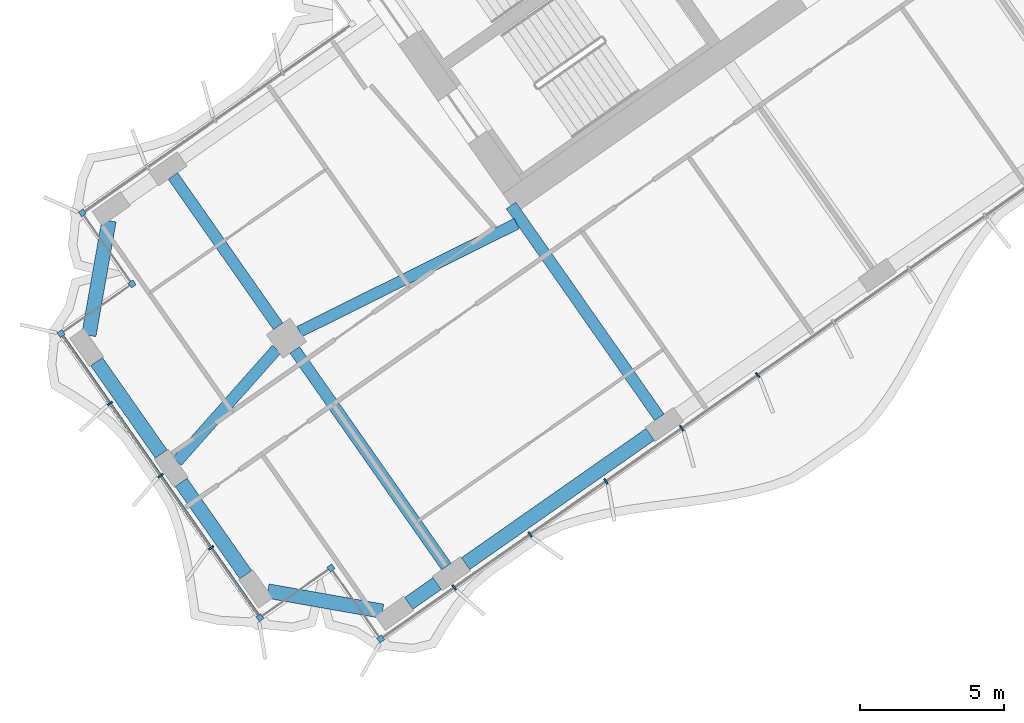
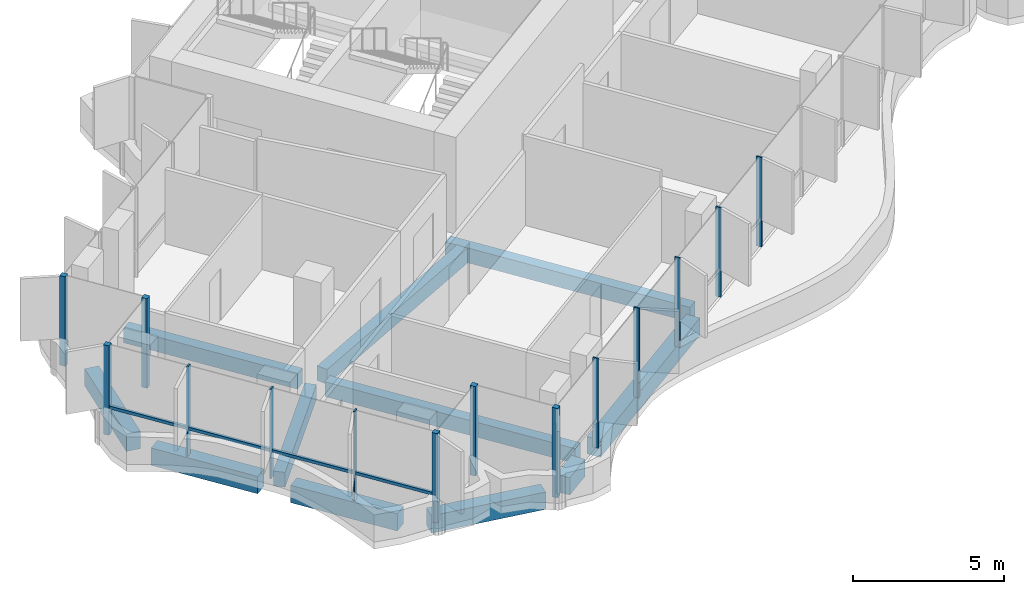
# One storey, part 2 of 23: 15 members, 11 beams, 1 element without a shape of its own.
"""IFC4 building model written with IfcOpenShell, lengths in metres."""

from ifc_helpers import new_model, si_unit, direction, frame, origin, origin_2d, place, context, subcontext, project, spatial, rectangle, extrude, material, material_profile, profile_set, type_object, element, aggregate, save


model = new_model("IFC4")

# Units and contexts
model_context = context("Model", 3, precision=1e-05, world=origin(), true_north=direction((0.0, 1.0)))
body_context = subcontext(model_context, "Body", "Model", "MODEL_VIEW")
ifc_project = project(units=[si_unit("LENGTHUNIT", "METRE"), si_unit("AREAUNIT", "SQUARE_METRE"), si_unit("VOLUMEUNIT", "CUBIC_METRE"), si_unit("PLANEANGLEUNIT", "RADIAN"), si_unit("MASSUNIT", "GRAM", prefix="KILO")], contexts=[model_context])

# Site, building, storey
site_placement = place(None, origin())
site = spatial("IfcSite", under=ifc_project, at=site_placement, CompositionType="ELEMENT")
building_placement = place(site_placement, origin())
building = spatial("IfcBuilding", under=site, at=building_placement, Name="Tel Ilan Convention Tower", CompositionType="ELEMENT")
storey_placement = place(building_placement, frame((0.0, 0.0, 182.699951171875)))
storey = spatial("IfcBuildingStorey", under=building, at=storey_placement, Name="L42", CompositionType="ELEMENT", Elevation=182.699951171875)

# Beams
ifc_material_1 = material(Name="Concrete C40/50", Category="concrete")
ifc_material_profile_1 = material_profile(ifc_material_1, rectangle(XDim=0.39990234375, YDim=0.60009765625, at=origin_2d()), Name="RC 400x600")
ifc_profile_set_1 = profile_set([ifc_material_profile_1], Name="Concrete C40/50")
beam_type_1 = type_object("IfcBeamType", Name="Beam RC 400x600 Concrete C40/50", PredefinedType="BEAM", material=ifc_profile_set_1)
beam_1_placement = place(storey_placement, frame((-16.58203125, -23.391357421875, -0.579833984375), z_axis=(-0.573584999642, 0.819146048141, 0.0), x_axis=(-0.819146048141, -0.573584999642, 0.0)))
element("IfcBeam", 1, at=beam_1_placement, inside=storey, type_object=beam_type_1, Name="L42 beam W-W-F3-core", PredefinedType="BEAM", context=body_context, shape_type="SweptSolid", body=[
    extrude(rectangle(XDim=0.39990234375, YDim=0.60009765625, at=origin_2d()), origin(), (0.0, 0.0, 1.0), 8.949951171875),
])
beam_2_placement = place(storey_placement, frame((-21.52099609375, -16.686279296875, -0.579833984375), z_axis=(-0.895402365524, -0.445257907076, 0.0), x_axis=(0.445257907076, -0.895402365524, 0.0)))
element("IfcBeam", 2, at=beam_2_placement, inside=storey, type_object=beam_type_1, Name="L42 beam W-core-W-M4", PredefinedType="BEAM", context=body_context, shape_type="SweptSolid", body=[
    extrude(rectangle(XDim=0.39990234375, YDim=0.60009765625, at=origin_2d()), origin(), (0.0, 0.0, 1.0), 8.3935546875),
])
beam_3_placement = place(storey_placement, frame((-29.830322265625, -21.03369140625, -0.579833984375), z_axis=(-0.663175252401, -0.748464150512, 0.0), x_axis=(0.748464150512, -0.663175252401, 0.0)))
element("IfcBeam", 3, at=beam_3_placement, inside=storey, type_object=beam_type_1, Name="L42 beam W-W-M4-end", PredefinedType="BEAM", context=body_context, shape_type="SweptSolid", body=[
    extrude(rectangle(XDim=0.39990234375, YDim=0.60009765625, at=origin_2d()), origin(), (0.0, 0.0, 1.0), 5.192626953125),
])
beam_4_placement = place(storey_placement, frame((-29.20263671875, -21.058349609375, -0.579833984375), z_axis=(0.573557249804, -0.819165478519, 0.0), x_axis=(0.819165478519, 0.573557249804, 0.0)))
element("IfcBeam", 4, at=beam_4_placement, inside=storey, type_object=beam_type_1, Name="L42 beam W-W-M4-W-F4", PredefinedType="BEAM", context=body_context, shape_type="SweptSolid", body=[
    extrude(rectangle(XDim=0.39990234375, YDim=0.60009765625, at=origin_2d()), origin(), (0.0, 0.0, 1.0), 9.14990234375),
])
beam_5_placement = place(storey_placement, frame((-29.7763671875, -20.2392578125, -0.579833984375), z_axis=(-0.573560394383, 0.819163276762, 0.0), x_axis=(-0.819163276762, -0.573560394383, 0.0)))
element("IfcBeam", 5, at=beam_5_placement, inside=storey, type_object=beam_type_1, Name="L42 beam W-W-M4-W-B4", PredefinedType="BEAM", context=body_context, shape_type="SweptSolid", body=[
    extrude(rectangle(XDim=0.39990234375, YDim=0.60009765625, at=origin_2d()), origin(), (0.0, 0.0, 1.0), 6.349853515625),
])
ifc_material_2 = material(Name="Concrete C40/50", Category="concrete")
ifc_material_profile_2 = material_profile(ifc_material_2, rectangle(XDim=0.5, YDim=0.699951171875, at=origin_2d()), Name="RC 500x700")
ifc_profile_set_2 = profile_set([ifc_material_profile_2], Name="Concrete C40/50")
beam_type_2 = type_object("IfcBeamType", Name="Beam RC 500x700 Concrete C40/50", PredefinedType="BEAM", material=ifc_profile_set_2)
beam_6_placement = place(storey_placement, frame((-16.901611328125, -23.981201171875, -0.6298828125), z_axis=(-0.819153977895, -0.573573674866, 0.0), x_axis=(0.573573674866, -0.819153977895, 0.0)))
element("IfcBeam", 6, at=beam_6_placement, inside=storey, type_object=beam_type_2, Name="L42 beam W-W-F3-W-F4", PredefinedType="BEAM", context=body_context, shape_type="SweptSolid", body=[
    extrude(rectangle(XDim=0.5, YDim=0.699951171875, at=origin_2d()), origin(), (0.0, 0.0, 1.0), 7.800048828125),
])
beam_7_placement = place(storey_placement, frame((-24.27392578125, -29.1435546875, -0.6298828125), z_axis=(-0.819155442668, -0.573571582932, 0.0), x_axis=(0.573571582932, -0.819155442668, 0.0)))
element("IfcBeam", 7, at=beam_7_placement, inside=storey, type_object=beam_type_2, Name="L42 beam W-W-F4-W-FC", PredefinedType="BEAM", context=body_context, shape_type="SweptSolid", body=[
    extrude(rectangle(XDim=0.5, YDim=0.699951171875, at=origin_2d()), origin(), (0.0, 0.0, 1.0), 1.199951171875),
])
beam_8_placement = place(storey_placement, frame((-26.166259765625, -30.102294921875, -0.6298828125), z_axis=(-0.984804894423, 0.173664388751, 0.0), x_axis=(-0.173664388751, -0.984804894423, 0.0)))
element("IfcBeam", 8, at=beam_8_placement, inside=storey, type_object=beam_type_2, Name="L42 beam W-W-FC-W-E1", PredefinedType="BEAM", context=body_context, shape_type="SweptSolid", body=[
    extrude(rectangle(XDim=0.5, YDim=0.699951171875, at=origin_2d()), origin(), (0.0, 0.0, 1.0), 4.030517578125),
])
for number, where, z_axis, x_axis, name in (
    (9, (-30.8974609375, -28.837158203125, -0.6298828125), (-0.573609383536, 0.819128973434, 0.0), (-0.819128973434, -0.573609383536, 0.0), "L42 beam W-W-E1-W-E2"),
    (10, (-33.82275390625, -24.659423828125, -0.6298828125), (-0.573567378001, 0.81915838694, 0.0), (-0.81915838694, -0.573567378001, 0.0), "L42 beam W-W-E2-W-E3"),
):
    element("IfcBeam", number, at=place(storey_placement, frame(where, z_axis=z_axis, x_axis=x_axis)), inside=storey, type_object=beam_type_2, Name=name, PredefinedType="BEAM", context=body_context, shape_type="SweptSolid", body=[
        extrude(rectangle(XDim=0.5, YDim=0.699951171875, at=origin_2d()), origin(), (0.0, 0.0, 1.0), 3.89990234375),
    ])
beam_9_placement = place(storey_placement, frame((-36.330078125, -20.555419921875, -0.6298828125), z_axis=(0.173664388751, 0.984804894423, 0.0), x_axis=(-0.984804894423, 0.173664388751, 0.0)))
element("IfcBeam", 11, at=beam_9_placement, inside=storey, type_object=beam_type_2, Name="L42 beam W-W-E3-W-BC", PredefinedType="BEAM", context=body_context, shape_type="SweptSolid", body=[
    extrude(rectangle(XDim=0.5, YDim=0.699951171875, at=origin_2d()), origin(), (0.0, 0.0, 1.0), 4.030517578125),
])

# Curtain wall, members
ifc_material_3 = material(Name="Aluminium, bronze anodised", Category="aluminium")
curtain_wall_type = type_object("IfcCurtainWallType", Name="CW4 STICK CURTAIN WALL, OFFICE TINTED GLASS", PredefinedType="NOTDEFINED", material=ifc_material_3)
curtain_wall_placement = place(storey_placement, origin())
curtain_wall = element("IfcCurtainWall", 12, at=curtain_wall_placement, inside=storey, type_object=curtain_wall_type, Name="Curtain wall CW4-32.02", PredefinedType="NOTDEFINED")
ifc_material_4 = material(Name="Aluminium, bronze anodised", Category="aluminium")
ifc_material_profile_3 = material_profile(ifc_material_4, rectangle(XDim=0.199951171875, YDim=0.199951171875, at=origin_2d()), Name="CW CORNER MULLION 200x200")
ifc_profile_set_3 = profile_set([ifc_material_profile_3], Name="Aluminium, bronze anodised")
member_type_1 = type_object("IfcMemberType", Name="CW CORNER MULLION 200x200", PredefinedType="MULLION", material=ifc_profile_set_3)
member_1_placement = place(storey_placement, frame((-36.5517578125, -16.31591796875, 0.0), z_axis=(0.0, 0.0, 1.0), x_axis=(-0.819152044289, -0.573576436351, 0.0)))
member_1 = element("IfcMember", 13, at=member_1_placement, type_object=member_type_1, Name="Corner mullion", PredefinedType="MULLION", context=body_context, shape_type="SweptSolid", body=[
    extrude(rectangle(XDim=0.199951171875, YDim=0.199951171875, at=origin_2d()), origin(), (0.0, 0.0, 1.0), 3.6201171875),
])
member_2_placement = place(storey_placement, frame((-34.8310546875, -18.7734375, 0.0), z_axis=(0.0, 0.0, 1.0), x_axis=(0.573576436351, -0.819152044289, 0.0)))
member_2 = element("IfcMember", 14, at=member_2_placement, type_object=member_type_1, Name="Corner mullion", PredefinedType="MULLION", context=body_context, shape_type="SweptSolid", body=[
    extrude(rectangle(XDim=0.199951171875, YDim=0.199951171875, at=origin_2d()), origin(), (0.0, 0.0, 1.0), 3.6201171875),
])
member_3_placement = place(storey_placement, frame((-37.28857421875, -20.494140625, 0.0), z_axis=(0.0, 0.0, 1.0), x_axis=(-0.819152044289, -0.573576436351, 0.0)))
member_3 = element("IfcMember", 15, at=member_3_placement, type_object=member_type_1, Name="Corner mullion", PredefinedType="MULLION", context=body_context, shape_type="SweptSolid", body=[
    extrude(rectangle(XDim=0.199951171875, YDim=0.199951171875, at=origin_2d()), origin(), (0.0, 0.0, 1.0), 3.6201171875),
])
member_4_placement = place(storey_placement, frame((-30.40576171875, -30.323974609375, 0.0), z_axis=(0.0, 0.0, 1.0), x_axis=(0.573576436351, -0.819152044289, 0.0)))
member_4 = element("IfcMember", 16, at=member_4_placement, type_object=member_type_1, Name="Corner mullion", PredefinedType="MULLION", context=body_context, shape_type="SweptSolid", body=[
    extrude(rectangle(XDim=0.199951171875, YDim=0.199951171875, at=origin_2d()), origin(), (0.0, 0.0, 1.0), 3.6201171875),
])
member_5_placement = place(storey_placement, frame((-27.9482421875, -28.603271484375, 0.0), z_axis=(0.0, 0.0, 1.0), x_axis=(0.819152044289, 0.573576436351, 0.0)))
member_5 = element("IfcMember", 17, at=member_5_placement, type_object=member_type_1, Name="Corner mullion", PredefinedType="MULLION", context=body_context, shape_type="SweptSolid", body=[
    extrude(rectangle(XDim=0.199951171875, YDim=0.199951171875, at=origin_2d()), origin(), (0.0, 0.0, 1.0), 3.6201171875),
])
member_6_placement = place(storey_placement, frame((-26.2275390625, -31.060791015625, 0.0), z_axis=(0.0, 0.0, 1.0), x_axis=(0.573576436351, -0.819152044289, 0.0)))
member_6 = element("IfcMember", 18, at=member_6_placement, type_object=member_type_1, Name="Corner mullion", PredefinedType="MULLION", context=body_context, shape_type="SweptSolid", body=[
    extrude(rectangle(XDim=0.199951171875, YDim=0.199951171875, at=origin_2d()), origin(), (0.0, 0.0, 1.0), 3.6201171875),
])
ifc_material_5 = material(Name="Aluminium, bronze anodised", Category="aluminium")
ifc_material_profile_4 = material_profile(ifc_material_5, rectangle(XDim=0.06005859375, YDim=0.199951171875, at=origin_2d()), Name="CW MULLION 60x200")
ifc_profile_set_4 = profile_set([ifc_material_profile_4], Name="Aluminium, bronze anodised")
member_type_2 = type_object("IfcMemberType", Name="CW MULLION 60x200", PredefinedType="MULLION", material=ifc_profile_set_4)
member_7_placement = place(storey_placement, frame((-35.596435546875, -22.91064453125, 0.0), z_axis=(0.0, 0.0, 1.0), x_axis=(0.573576436351, -0.819152044289, 0.0)))
member_7 = element("IfcMember", 19, at=member_7_placement, type_object=member_type_2, Name="Mullion", PredefinedType="MULLION", context=body_context, shape_type="SweptSolid", body=[
    extrude(rectangle(XDim=0.06005859375, YDim=0.199951171875, at=origin_2d()), origin(), (0.0, 0.0, 1.0), 3.6201171875),
])
member_8_placement = place(storey_placement, frame((-33.84716796875, -25.4091796875, 0.0), z_axis=(0.0, 0.0, 1.0), x_axis=(0.573576436351, -0.819152044289, 0.0)))
member_8 = element("IfcMember", 20, at=member_8_placement, type_object=member_type_2, Name="Mullion", PredefinedType="MULLION", context=body_context, shape_type="SweptSolid", body=[
    extrude(rectangle(XDim=0.06005859375, YDim=0.199951171875, at=origin_2d()), origin(), (0.0, 0.0, 1.0), 3.6201171875),
])
member_9_placement = place(storey_placement, frame((-32.09765625, -27.907470703125, 0.0), z_axis=(0.0, 0.0, 1.0), x_axis=(0.573576436351, -0.819152044289, 0.0)))
member_9 = element("IfcMember", 21, at=member_9_placement, type_object=member_type_2, Name="Mullion", PredefinedType="MULLION", context=body_context, shape_type="SweptSolid", body=[
    extrude(rectangle(XDim=0.06005859375, YDim=0.199951171875, at=origin_2d()), origin(), (0.0, 0.0, 1.0), 3.6201171875),
])
member_10_placement = place(storey_placement, frame((-23.68408203125, -29.27978515625, 0.0), z_axis=(0.0, 0.0, 1.0), x_axis=(0.819152044289, 0.573576436351, 0.0)))
member_10 = element("IfcMember", 22, at=member_10_placement, type_object=member_type_2, Name="Mullion", PredefinedType="MULLION", context=body_context, shape_type="SweptSolid", body=[
    extrude(rectangle(XDim=0.06005859375, YDim=0.199951171875, at=origin_2d()), origin(), (0.0, 0.0, 1.0), 3.6201171875),
])
member_11_placement = place(storey_placement, frame((-21.05908203125, -27.441650390625, 0.0), z_axis=(0.0, 0.0, 1.0), x_axis=(0.819152044289, 0.573576436351, 0.0)))
member_11 = element("IfcMember", 23, at=member_11_placement, type_object=member_type_2, Name="Mullion", PredefinedType="MULLION", context=body_context, shape_type="SweptSolid", body=[
    extrude(rectangle(XDim=0.06005859375, YDim=0.199951171875, at=origin_2d()), origin(), (0.0, 0.0, 1.0), 3.6201171875),
])
member_12_placement = place(storey_placement, frame((-18.433837890625, -25.603515625, 0.0), z_axis=(0.0, 0.0, 1.0), x_axis=(0.819152044289, 0.573576436351, 0.0)))
member_12 = element("IfcMember", 24, at=member_12_placement, type_object=member_type_2, Name="Mullion", PredefinedType="MULLION", context=body_context, shape_type="SweptSolid", body=[
    extrude(rectangle(XDim=0.06005859375, YDim=0.199951171875, at=origin_2d()), origin(), (0.0, 0.0, 1.0), 3.6201171875),
])
member_13_placement = place(storey_placement, frame((-15.80859375, -23.765380859375, 0.0), z_axis=(0.0, 0.0, 1.0), x_axis=(0.819152044289, 0.573576436351, 0.0)))
member_13 = element("IfcMember", 25, at=member_13_placement, type_object=member_type_2, Name="Mullion", PredefinedType="MULLION", context=body_context, shape_type="SweptSolid", body=[
    extrude(rectangle(XDim=0.06005859375, YDim=0.199951171875, at=origin_2d()), origin(), (0.0, 0.0, 1.0), 3.6201171875),
])
member_14_placement = place(storey_placement, frame((-13.183349609375, -21.92724609375, 0.0), z_axis=(0.0, 0.0, 1.0), x_axis=(0.819152044289, 0.573576436351, 0.0)))
member_14 = element("IfcMember", 26, at=member_14_placement, type_object=member_type_2, Name="Mullion", PredefinedType="MULLION", context=body_context, shape_type="SweptSolid", body=[
    extrude(rectangle(XDim=0.06005859375, YDim=0.199951171875, at=origin_2d()), origin(), (0.0, 0.0, 1.0), 3.6201171875),
])
ifc_material_6 = material(Name="Aluminium, bronze anodised", Category="aluminium")
ifc_material_profile_5 = material_profile(ifc_material_6, rectangle(XDim=0.10009765625, YDim=0.1201171875, at=origin_2d()), Name="CW TRANSOM 100x120")
ifc_profile_set_5 = profile_set([ifc_material_profile_5], Name="Aluminium, bronze anodised")
member_type_3 = type_object("IfcMemberType", Name="CW TRANSOM 100x120", PredefinedType="USERDEFINED", material=ifc_profile_set_5)
member_15_placement = place(storey_placement, frame((-37.231201171875, -20.576171875, 1.10009765625), z_axis=(0.573567872435, -0.819158040741, 0.0), x_axis=(0.819158040741, 0.573567872435, 0.0)))
member_15 = element("IfcMember", 27, at=member_15_placement, type_object=member_type_3, Name="Transom", ObjectType="TRANSOM", PredefinedType="USERDEFINED", context=body_context, shape_type="SweptSolid", body=[
    extrude(rectangle(XDim=0.10009765625, YDim=0.1201171875, at=origin_2d()), origin(), (0.0, 0.0, 1.0), 11.800048828125),
])
aggregate(curtain_wall, [member_1, member_2, member_3, member_7, member_8, member_9, member_4, member_15, member_5, member_6, member_10, member_11, member_12, member_13, member_14])

save(model, "model.ifc")
